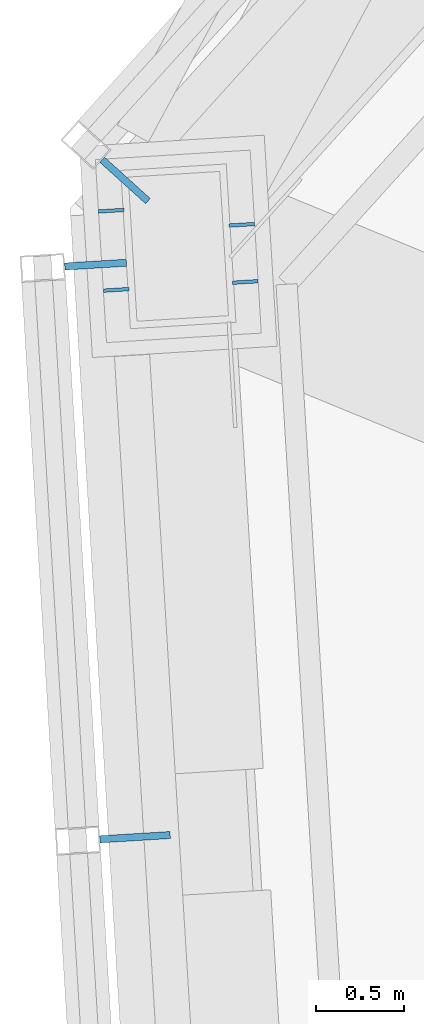
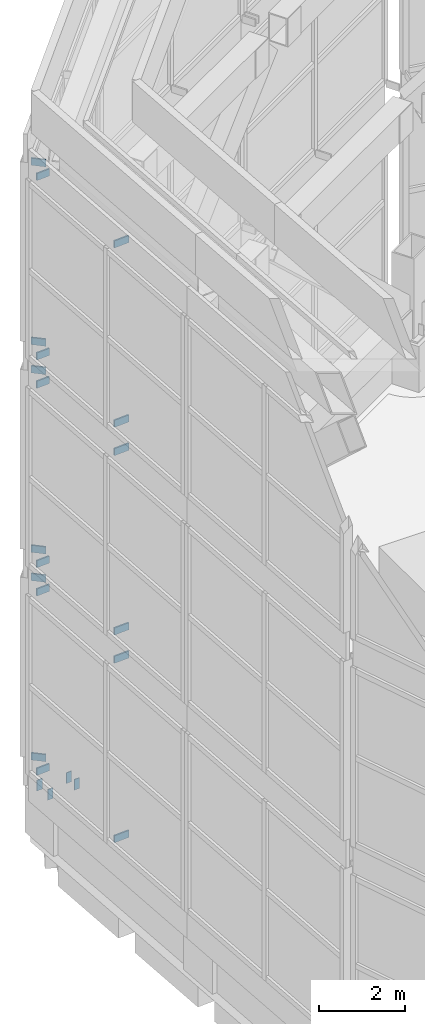
# One storey, part 34 of 46: 22 discrete accessories.
"""IFC4 building model written with IfcOpenShell, lengths in metres."""

from ifc_helpers import new_model, si_unit, direction, frame, origin, origin_2d, place, context, subcontext, project, spatial, rectangle, extrude, material, layer, layer_set, type_object, element, save


model = new_model("IFC4")

# Units and contexts
model_context = context("Model", 3, precision=1e-05, world=origin(), true_north=direction((0.0, 1.0)))
body_context = subcontext(model_context, "Body", "Model", "MODEL_VIEW")
ifc_project = project(units=[si_unit("LENGTHUNIT", "METRE"), si_unit("AREAUNIT", "SQUARE_METRE"), si_unit("VOLUMEUNIT", "CUBIC_METRE"), si_unit("PLANEANGLEUNIT", "RADIAN"), si_unit("MASSUNIT", "GRAM", prefix="KILO")], contexts=[model_context])

# Site, building, storey
site_placement = place(None, origin())
site = spatial("IfcSite", under=ifc_project, at=site_placement, CompositionType="ELEMENT")
building_placement = place(site_placement, origin())
building = spatial("IfcBuilding", under=site, at=building_placement, Name="Vanh Sen Convention Tower", CompositionType="ELEMENT")
storey_placement = place(building_placement, frame((0.0, 0.0, 305.0)))
storey = spatial("IfcBuildingStorey", under=building, at=storey_placement, Name="Roof level", CompositionType="ELEMENT", Elevation=305.0)

# Discrete accessories
ifc_material_1 = material(Name="Steel S355", Category="steel")
ifc_layer = layer(ifc_material_1, 0.02001953125)
ifc_layer_set = layer_set([ifc_layer], Name="Steel S355")
discrete_accessory_type_1 = type_object("IfcDiscreteAccessoryType", Name="Crown base plate stiffener 140 x 300 x 20", PredefinedType="USERDEFINED", material=ifc_layer_set)
for number, where, z_axis, x_axis, name in (
    (1, (-18.940673828125, 7.74462890625, 1.34521484375), (0.0, 0.0, 1.0), (0.998134798422, 0.061048539535, 0.0), "STIFFENER crown column 10 rib 1"),
    (2, (-18.96044921875, 8.069091796875, 1.34521484375), (0.0, 0.0, 1.0), (0.998134798422, 0.061048539535, 0.0), "STIFFENER crown column 10 rib 2"),
    (3, (-19.67431640625, 7.69970703125, 1.34521484375), (0.0, 0.0, 1.0), (0.998134798422, 0.061048539535, 0.0), "STIFFENER crown column 10 rib 3"),
    (4, (-19.701904296875, 8.14892578125, 1.34521484375), (0.0, 0.0, 1.0), (0.998134798422, 0.061048539535, 0.0), "STIFFENER crown column 10 rib 4"),
):
    element("IfcDiscreteAccessory", number, at=place(storey_placement, frame(where, z_axis=z_axis, x_axis=x_axis)), inside=storey, type_object=discrete_accessory_type_1, Name=name, ObjectType="STIFFENER", PredefinedType="USERDEFINED", context=body_context, shape_type="SweptSolid", body=[
        extrude(rectangle(XDim=0.14501953125, YDim=0.02001953125, at=origin_2d()), origin(), (0.0, 0.0, 1.0), 0.300048828125),
    ])
ifc_material_2 = material(Name="Steel S355", Category="steel")
discrete_accessory_type_2 = type_object("IfcDiscreteAccessoryType", Name="Crown screen bracket 40 x 200", PredefinedType="BRACKET", material=ifc_material_2)
for number, where, z_axis, x_axis, name in (
    (5, (-19.62353515625, 8.32080078125, 2.044921875), (0.0, 0.0, 1.0), (-0.742232041995, 0.670142966713, 0.0), "Crown screen bracket 09-1-3"),
    (6, (-19.62353515625, 8.32080078125, 7.11328125), (0.0, 0.0, 1.0), (-0.742232041995, 0.670142966713, 0.0), "Crown screen bracket 09-1-6"),
    (7, (-19.62353515625, 8.32080078125, 7.9130859375), (0.0, 0.0, 1.0), (-0.742232041995, 0.670142966713, 0.0), "Crown screen bracket 09-2-3"),
    (8, (-19.62353515625, 8.32080078125, 12.98193359375), (0.0, 0.0, 1.0), (-0.742232041995, 0.670142966713, 0.0), "Crown screen bracket 09-2-6"),
    (9, (-19.62353515625, 8.32080078125, 13.78173828125), (0.0, 0.0, 1.0), (-0.742232041995, 0.670142966713, 0.0), "Crown screen bracket 09-3-3"),
    (10, (-19.62353515625, 8.32080078125, 18.85009765625), (0.0, 0.0, 1.0), (-0.742232041995, 0.670142966713, 0.0), "Crown screen bracket 09-3-6"),
    (11, (-19.790771484375, 7.843017578125, 2.044921875), (0.0, 0.0, 1.0), (-0.998134691871, -0.061050281609, 0.0), "Crown screen bracket 10-1-1"),
):
    element("IfcDiscreteAccessory", number, at=place(storey_placement, frame(where, z_axis=z_axis, x_axis=x_axis)), inside=storey, type_object=discrete_accessory_type_2, Name=name, PredefinedType="BRACKET", context=body_context, shape_type="SweptSolid", body=[
        extrude(rectangle(XDim=0.35009765625, YDim=0.0400390625, at=origin_2d()), origin(), (0.0, 0.0, 1.0), 0.199951171875),
    ])
discrete_accessory_1_placement = place(storey_placement, frame((-19.56689453125, 4.593994140625, 2.044921875), z_axis=(0.0, 0.0, 1.0), x_axis=(-0.998134691871, -0.061050281609, 0.0)))
element("IfcDiscreteAccessory", 12, at=discrete_accessory_1_placement, inside=storey, type_object=discrete_accessory_type_2, Name="Crown screen bracket 10-1-2", PredefinedType="BRACKET", context=body_context, shape_type="SweptSolid", body=[
    extrude(rectangle(XDim=0.39990234375, YDim=0.0400390625, at=origin_2d()), origin(), (0.0, 0.0, 1.0), 0.199951171875),
])
discrete_accessory_2_placement = place(storey_placement, frame((-19.790771484375, 7.843017578125, 7.11328125), z_axis=(0.0, 0.0, 1.0), x_axis=(-0.998134691871, -0.061050281609, 0.0)))
element("IfcDiscreteAccessory", 13, at=discrete_accessory_2_placement, inside=storey, type_object=discrete_accessory_type_2, Name="Crown screen bracket 10-1-4", PredefinedType="BRACKET", context=body_context, shape_type="SweptSolid", body=[
    extrude(rectangle(XDim=0.35009765625, YDim=0.0400390625, at=origin_2d()), origin(), (0.0, 0.0, 1.0), 0.199951171875),
])
discrete_accessory_3_placement = place(storey_placement, frame((-19.56689453125, 4.593994140625, 7.11328125), z_axis=(0.0, 0.0, 1.0), x_axis=(-0.998134691871, -0.061050281609, 0.0)))
element("IfcDiscreteAccessory", 14, at=discrete_accessory_3_placement, inside=storey, type_object=discrete_accessory_type_2, Name="Crown screen bracket 10-1-5", PredefinedType="BRACKET", context=body_context, shape_type="SweptSolid", body=[
    extrude(rectangle(XDim=0.39990234375, YDim=0.0400390625, at=origin_2d()), origin(), (0.0, 0.0, 1.0), 0.199951171875),
])
discrete_accessory_4_placement = place(storey_placement, frame((-19.790771484375, 7.843017578125, 7.9130859375), z_axis=(0.0, 0.0, 1.0), x_axis=(-0.998134691871, -0.061050281609, 0.0)))
element("IfcDiscreteAccessory", 15, at=discrete_accessory_4_placement, inside=storey, type_object=discrete_accessory_type_2, Name="Crown screen bracket 10-2-1", PredefinedType="BRACKET", context=body_context, shape_type="SweptSolid", body=[
    extrude(rectangle(XDim=0.35009765625, YDim=0.0400390625, at=origin_2d()), origin(), (0.0, 0.0, 1.0), 0.199951171875),
])
discrete_accessory_5_placement = place(storey_placement, frame((-19.56689453125, 4.593994140625, 7.9130859375), z_axis=(0.0, 0.0, 1.0), x_axis=(-0.998134691871, -0.061050281609, 0.0)))
element("IfcDiscreteAccessory", 16, at=discrete_accessory_5_placement, inside=storey, type_object=discrete_accessory_type_2, Name="Crown screen bracket 10-2-2", PredefinedType="BRACKET", context=body_context, shape_type="SweptSolid", body=[
    extrude(rectangle(XDim=0.39990234375, YDim=0.0400390625, at=origin_2d()), origin(), (0.0, 0.0, 1.0), 0.199951171875),
])
discrete_accessory_6_placement = place(storey_placement, frame((-19.790771484375, 7.843017578125, 12.98193359375), z_axis=(0.0, 0.0, 1.0), x_axis=(-0.998134691871, -0.061050281609, 0.0)))
element("IfcDiscreteAccessory", 17, at=discrete_accessory_6_placement, inside=storey, type_object=discrete_accessory_type_2, Name="Crown screen bracket 10-2-4", PredefinedType="BRACKET", context=body_context, shape_type="SweptSolid", body=[
    extrude(rectangle(XDim=0.35009765625, YDim=0.0400390625, at=origin_2d()), origin(), (0.0, 0.0, 1.0), 0.199951171875),
])
discrete_accessory_7_placement = place(storey_placement, frame((-19.56689453125, 4.593994140625, 12.98193359375), z_axis=(0.0, 0.0, 1.0), x_axis=(-0.998134691871, -0.061050281609, 0.0)))
element("IfcDiscreteAccessory", 18, at=discrete_accessory_7_placement, inside=storey, type_object=discrete_accessory_type_2, Name="Crown screen bracket 10-2-5", PredefinedType="BRACKET", context=body_context, shape_type="SweptSolid", body=[
    extrude(rectangle(XDim=0.39990234375, YDim=0.0400390625, at=origin_2d()), origin(), (0.0, 0.0, 1.0), 0.199951171875),
])
discrete_accessory_8_placement = place(storey_placement, frame((-19.790771484375, 7.843017578125, 13.78173828125), z_axis=(0.0, 0.0, 1.0), x_axis=(-0.998134691871, -0.061050281609, 0.0)))
element("IfcDiscreteAccessory", 19, at=discrete_accessory_8_placement, inside=storey, type_object=discrete_accessory_type_2, Name="Crown screen bracket 10-3-1", PredefinedType="BRACKET", context=body_context, shape_type="SweptSolid", body=[
    extrude(rectangle(XDim=0.35009765625, YDim=0.0400390625, at=origin_2d()), origin(), (0.0, 0.0, 1.0), 0.199951171875),
])
discrete_accessory_9_placement = place(storey_placement, frame((-19.56689453125, 4.593994140625, 13.78173828125), z_axis=(0.0, 0.0, 1.0), x_axis=(-0.998134691871, -0.061050281609, 0.0)))
element("IfcDiscreteAccessory", 20, at=discrete_accessory_9_placement, inside=storey, type_object=discrete_accessory_type_2, Name="Crown screen bracket 10-3-2", PredefinedType="BRACKET", context=body_context, shape_type="SweptSolid", body=[
    extrude(rectangle(XDim=0.39990234375, YDim=0.0400390625, at=origin_2d()), origin(), (0.0, 0.0, 1.0), 0.199951171875),
])
discrete_accessory_10_placement = place(storey_placement, frame((-19.790771484375, 7.843017578125, 18.85009765625), z_axis=(0.0, 0.0, 1.0), x_axis=(-0.998134691871, -0.061050281609, 0.0)))
element("IfcDiscreteAccessory", 21, at=discrete_accessory_10_placement, inside=storey, type_object=discrete_accessory_type_2, Name="Crown screen bracket 10-3-4", PredefinedType="BRACKET", context=body_context, shape_type="SweptSolid", body=[
    extrude(rectangle(XDim=0.35009765625, YDim=0.0400390625, at=origin_2d()), origin(), (0.0, 0.0, 1.0), 0.199951171875),
])
discrete_accessory_11_placement = place(storey_placement, frame((-19.56689453125, 4.593994140625, 18.85009765625), z_axis=(0.0, 0.0, 1.0), x_axis=(-0.998134691871, -0.061050281609, 0.0)))
element("IfcDiscreteAccessory", 22, at=discrete_accessory_11_placement, inside=storey, type_object=discrete_accessory_type_2, Name="Crown screen bracket 10-3-5", PredefinedType="BRACKET", context=body_context, shape_type="SweptSolid", body=[
    extrude(rectangle(XDim=0.39990234375, YDim=0.0400390625, at=origin_2d()), origin(), (0.0, 0.0, 1.0), 0.199951171875),
])

save(model, "model.ifc")
